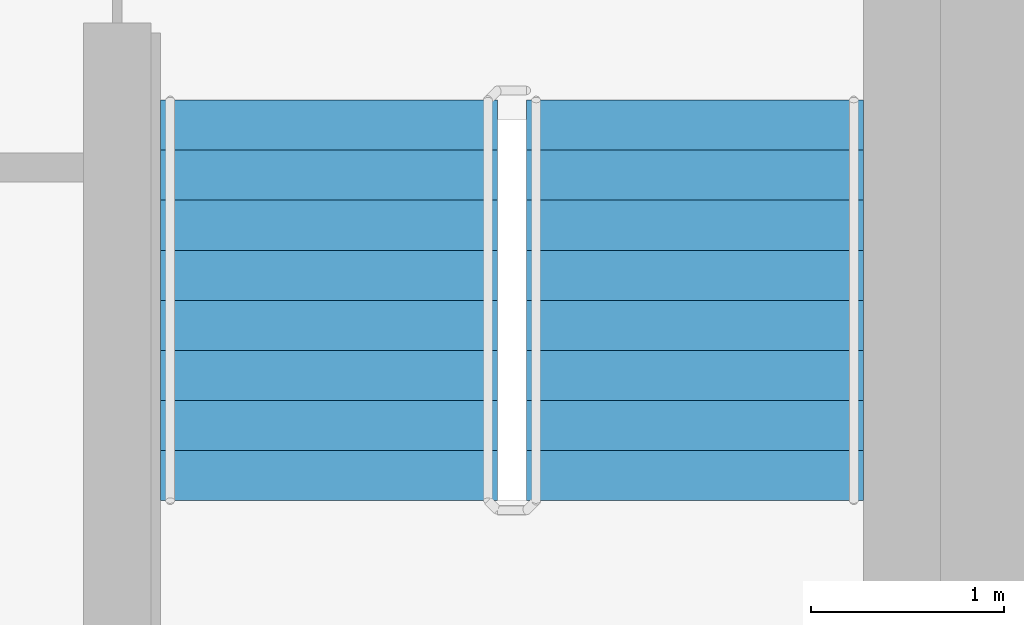
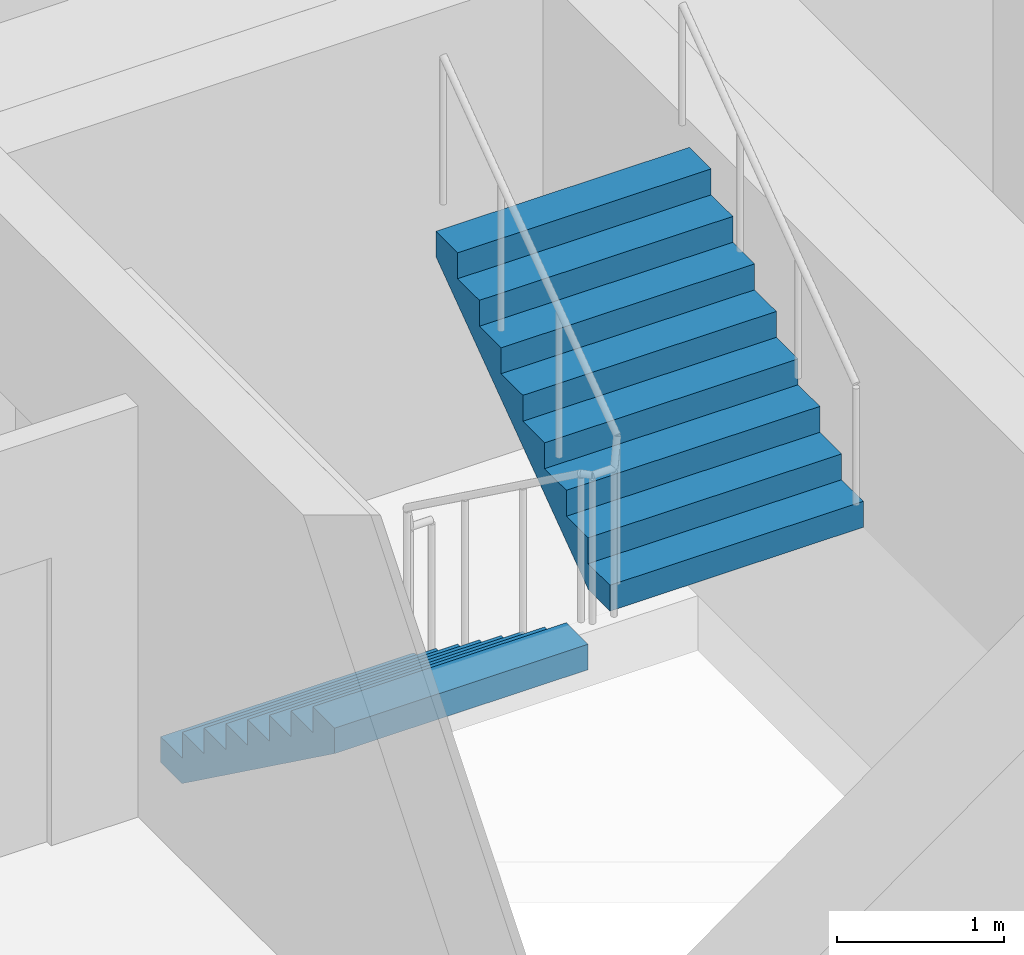
# One storey, part 15 of 19: 2 stair flights, 1 element without a shape of its own.
"""IFC4 building model written with IfcOpenShell, lengths in metres."""

from ifc_helpers import new_model, si_unit, direction, frame, origin, place, context, subcontext, project, spatial, faceted_brep, material, type_object, element, aggregate, save


model = new_model("IFC4")

# Units and contexts
model_context = context("Model", 3, precision=1e-05, world=origin(), true_north=direction((0.0, 1.0)))
body_context = subcontext(model_context, "Body", "Model", "MODEL_VIEW")
ifc_project = project(units=[si_unit("LENGTHUNIT", "METRE"), si_unit("AREAUNIT", "SQUARE_METRE"), si_unit("VOLUMEUNIT", "CUBIC_METRE"), si_unit("PLANEANGLEUNIT", "RADIAN"), si_unit("MASSUNIT", "GRAM", prefix="KILO")], contexts=[model_context])

# Site, building, storey
site_placement = place(None, origin())
site = spatial("IfcSite", under=ifc_project, at=site_placement, CompositionType="ELEMENT")
building_placement = place(site_placement, origin())
building = spatial("IfcBuilding", under=site, at=building_placement, Name="Ipe Terrace Towers", CompositionType="ELEMENT")
storey_placement = place(building_placement, frame((0.0, 0.0, 147.300048828125)))
storey = spatial("IfcBuildingStorey", under=building, at=storey_placement, Name="L40", CompositionType="ELEMENT", Elevation=147.300048828125)

# Stair, stair flights
ifc_material_1 = material(Name="Concrete C30/37", Category="concrete")
stair_type = type_object("IfcStairType", Name="Protected exit stair", PredefinedType="HALF_TURN_STAIR", material=ifc_material_1)
stair_placement = place(storey_placement, origin())
stair = element("IfcStair", 1, at=stair_placement, inside=storey, type_object=stair_type, Name="L40 Exit stair T2-C2", PredefinedType="HALF_TURN_STAIR")
ifc_material_2 = material(Name="Concrete C30/37", Category="concrete")
stair_flight_type = type_object("IfcStairFlightType", Name="Exit stair flight 1750", PredefinedType="STRAIGHT", material=ifc_material_2)
stair_flight_1_placement = place(storey_placement, frame((38.77490234375, -9.699951171875, 0.0), z_axis=(0.0, 0.0, 1.0), x_axis=(0.0, -1.0, 0.0)))
stair_flight_1 = element("IfcStairFlight", 2, at=stair_flight_1_placement, type_object=stair_flight_type, Name="T2-ST2 flight 1", NumberOfRisers=9, NumberOfTreads=8, PredefinedType="STRAIGHT", RiserHeight=0.188888889, TreadLength=0.26, context=body_context, shape_type="Brep", body=[
    faceted_brep([(0.255126953125, -0.875, 0.0), (2.080078125, -0.875, 1.325927734375), (2.080078125, -0.875, 1.51123046875), (1.820068359375, -0.875, 1.51123046875), (1.820068359375, -0.875, 1.322265625), (1.56005859375, -0.875, 1.322265625), (1.56005859375, -0.875, 1.13330078125), (1.300048828125, -0.875, 1.13330078125), (1.300048828125, -0.875, 0.9443359375), (1.0400390625, -0.875, 0.9443359375), (1.0400390625, -0.875, 0.755615234375), (0.780029296875, -0.875, 0.755615234375), (0.780029296875, -0.875, 0.566650390625), (0.52001953125, -0.875, 0.566650390625), (0.52001953125, -0.875, 0.377685546875), (0.260009765625, -0.875, 0.377685546875), (0.260009765625, -0.875, 0.18896484375), (0.0, -0.875, 0.18896484375), (0.0, -0.875, 0.0), (0.0, 0.875, 0.0), (0.0, 0.875, 0.18896484375), (0.260009765625, 0.875, 0.18896484375), (0.260009765625, 0.875, 0.377685546875), (0.52001953125, 0.875, 0.377685546875), (0.52001953125, 0.875, 0.566650390625), (0.780029296875, 0.875, 0.566650390625), (0.780029296875, 0.875, 0.755615234375), (1.0400390625, 0.875, 0.755615234375), (1.0400390625, 0.875, 0.9443359375), (1.300048828125, 0.875, 0.9443359375), (1.300048828125, 0.875, 1.13330078125), (1.56005859375, 0.875, 1.13330078125), (1.56005859375, 0.875, 1.322265625), (1.820068359375, 0.875, 1.322265625), (1.820068359375, 0.875, 1.51123046875), (2.080078125, 0.875, 1.51123046875), (2.080078125, 0.875, 1.325927734375), (0.255126953125, 0.875, 0.0), (0.0, -0.300048828125, 0.18896484375), (0.0, -0.1201171875, 0.18896484375), (0.0, -0.06005859375, 0.18896484375), (0.0, -0.030029296875, 0.18896484375), (0.0, -0.010009765625, 0.18896484375), (0.0, 0.0, 0.18896484375), (0.0, 0.010009765625, 0.18896484375), (0.0, 0.030029296875, 0.18896484375), (0.0, 0.06005859375, 0.18896484375), (0.0, 0.1201171875, 0.18896484375), (0.0, 0.300048828125, 0.18896484375), (0.0, 0.300048828125, 0.0), (0.0, 0.1201171875, 0.0), (0.0, 0.06005859375, 0.0), (0.0, 0.030029296875, 0.0), (0.0, 0.010009765625, 0.0), (0.0, 0.0, 0.0), (0.0, -0.010009765625, 0.0), (0.0, -0.030029296875, 0.0), (0.0, -0.06005859375, 0.0), (0.0, -0.1201171875, 0.0), (0.0, -0.300048828125, 0.0), (0.260009765625, -0.300048828125, 0.18896484375), (0.260009765625, -0.1201171875, 0.18896484375), (0.260009765625, -0.06005859375, 0.18896484375), (0.260009765625, -0.030029296875, 0.18896484375), (0.260009765625, -0.010009765625, 0.18896484375), (0.260009765625, 0.0, 0.18896484375), (0.260009765625, 0.010009765625, 0.18896484375), (0.260009765625, 0.030029296875, 0.18896484375), (0.260009765625, 0.06005859375, 0.18896484375), (0.260009765625, 0.1201171875, 0.18896484375), (0.260009765625, 0.300048828125, 0.18896484375), (0.260009765625, -0.300048828125, 0.377685546875), (0.260009765625, -0.1201171875, 0.377685546875), (0.260009765625, -0.06005859375, 0.377685546875), (0.260009765625, -0.030029296875, 0.377685546875), (0.260009765625, -0.010009765625, 0.377685546875), (0.260009765625, 0.0, 0.377685546875), (0.260009765625, 0.010009765625, 0.377685546875), (0.260009765625, 0.030029296875, 0.377685546875), (0.260009765625, 0.06005859375, 0.377685546875), (0.260009765625, 0.1201171875, 0.377685546875), (0.260009765625, 0.300048828125, 0.377685546875), (0.52001953125, -0.300048828125, 0.377685546875), (0.52001953125, -0.1201171875, 0.377685546875), (0.52001953125, -0.06005859375, 0.377685546875), (0.52001953125, -0.030029296875, 0.377685546875), (0.52001953125, -0.010009765625, 0.377685546875), (0.52001953125, 0.0, 0.377685546875), (0.52001953125, 0.010009765625, 0.377685546875), (0.52001953125, 0.030029296875, 0.377685546875), (0.52001953125, 0.06005859375, 0.377685546875), (0.52001953125, 0.1201171875, 0.377685546875), (0.52001953125, 0.300048828125, 0.377685546875), (0.52001953125, -0.300048828125, 0.566650390625), (0.52001953125, -0.1201171875, 0.566650390625), (0.52001953125, -0.06005859375, 0.566650390625), (0.52001953125, -0.030029296875, 0.566650390625), (0.52001953125, -0.010009765625, 0.566650390625), (0.52001953125, 0.0, 0.566650390625), (0.52001953125, 0.010009765625, 0.566650390625), (0.52001953125, 0.030029296875, 0.566650390625), (0.52001953125, 0.06005859375, 0.566650390625), (0.52001953125, 0.1201171875, 0.566650390625), (0.52001953125, 0.300048828125, 0.566650390625), (0.780029296875, -0.300048828125, 0.566650390625), (0.780029296875, -0.1201171875, 0.566650390625), (0.780029296875, -0.06005859375, 0.566650390625), (0.780029296875, -0.030029296875, 0.566650390625), (0.780029296875, -0.010009765625, 0.566650390625), (0.780029296875, 0.0, 0.566650390625), (0.780029296875, 0.010009765625, 0.566650390625), (0.780029296875, 0.030029296875, 0.566650390625), (0.780029296875, 0.06005859375, 0.566650390625), (0.780029296875, 0.1201171875, 0.566650390625), (0.780029296875, 0.300048828125, 0.566650390625), (0.780029296875, -0.300048828125, 0.755615234375), (0.780029296875, -0.1201171875, 0.755615234375), (0.780029296875, -0.06005859375, 0.755615234375), (0.780029296875, -0.030029296875, 0.755615234375), (0.780029296875, -0.010009765625, 0.755615234375), (0.780029296875, 0.0, 0.755615234375), (0.780029296875, 0.010009765625, 0.755615234375), (0.780029296875, 0.030029296875, 0.755615234375), (0.780029296875, 0.06005859375, 0.755615234375), (0.780029296875, 0.1201171875, 0.755615234375), (0.780029296875, 0.300048828125, 0.755615234375), (1.0400390625, -0.300048828125, 0.755615234375), (1.0400390625, -0.1201171875, 0.755615234375), (1.0400390625, -0.06005859375, 0.755615234375), (1.0400390625, -0.030029296875, 0.755615234375), (1.0400390625, -0.010009765625, 0.755615234375), (1.0400390625, 0.0, 0.755615234375), (1.0400390625, 0.010009765625, 0.755615234375), (1.0400390625, 0.030029296875, 0.755615234375), (1.0400390625, 0.06005859375, 0.755615234375), (1.0400390625, 0.1201171875, 0.755615234375), (1.0400390625, 0.300048828125, 0.755615234375), (1.0400390625, -0.300048828125, 0.9443359375), (1.0400390625, -0.1201171875, 0.9443359375), (1.0400390625, -0.06005859375, 0.9443359375), (1.0400390625, -0.030029296875, 0.9443359375), (1.0400390625, -0.010009765625, 0.9443359375), (1.0400390625, 0.0, 0.9443359375), (1.0400390625, 0.010009765625, 0.9443359375), (1.0400390625, 0.030029296875, 0.9443359375), (1.0400390625, 0.06005859375, 0.9443359375), (1.0400390625, 0.1201171875, 0.9443359375), (1.0400390625, 0.300048828125, 0.9443359375), (1.300048828125, -0.300048828125, 0.9443359375), (1.300048828125, -0.1201171875, 0.9443359375), (1.300048828125, -0.06005859375, 0.9443359375), (1.300048828125, -0.030029296875, 0.9443359375), (1.300048828125, -0.010009765625, 0.9443359375), (1.300048828125, 0.0, 0.9443359375), (1.300048828125, 0.010009765625, 0.9443359375), (1.300048828125, 0.030029296875, 0.9443359375), (1.300048828125, 0.06005859375, 0.9443359375), (1.300048828125, 0.1201171875, 0.9443359375), (1.300048828125, 0.300048828125, 0.9443359375), (1.300048828125, -0.300048828125, 1.13330078125), (1.300048828125, -0.1201171875, 1.13330078125), (1.300048828125, -0.06005859375, 1.13330078125), (1.300048828125, -0.030029296875, 1.13330078125), (1.300048828125, -0.010009765625, 1.13330078125), (1.300048828125, 0.0, 1.13330078125), (1.300048828125, 0.010009765625, 1.13330078125), (1.300048828125, 0.030029296875, 1.13330078125), (1.300048828125, 0.06005859375, 1.13330078125), (1.300048828125, 0.1201171875, 1.13330078125), (1.300048828125, 0.300048828125, 1.13330078125), (1.56005859375, -0.300048828125, 1.13330078125), (1.56005859375, -0.1201171875, 1.13330078125), (1.56005859375, -0.06005859375, 1.13330078125), (1.56005859375, -0.030029296875, 1.13330078125), (1.56005859375, -0.010009765625, 1.13330078125), (1.56005859375, 0.0, 1.13330078125), (1.56005859375, 0.010009765625, 1.13330078125), (1.56005859375, 0.030029296875, 1.13330078125), (1.56005859375, 0.06005859375, 1.13330078125), (1.56005859375, 0.1201171875, 1.13330078125), (1.56005859375, 0.300048828125, 1.13330078125), (1.56005859375, -0.300048828125, 1.322265625), (1.56005859375, -0.1201171875, 1.322265625), (1.56005859375, -0.06005859375, 1.322265625), (1.56005859375, -0.030029296875, 1.322265625), (1.56005859375, -0.010009765625, 1.322265625), (1.56005859375, 0.0, 1.322265625), (1.56005859375, 0.010009765625, 1.322265625), (1.56005859375, 0.030029296875, 1.322265625), (1.56005859375, 0.06005859375, 1.322265625), (1.56005859375, 0.1201171875, 1.322265625), (1.56005859375, 0.300048828125, 1.322265625), (1.820068359375, -0.300048828125, 1.322265625), (1.820068359375, -0.1201171875, 1.322265625), (1.820068359375, -0.06005859375, 1.322265625), (1.820068359375, -0.030029296875, 1.322265625), (1.820068359375, -0.010009765625, 1.322265625), (1.820068359375, 0.0, 1.322265625), (1.820068359375, 0.010009765625, 1.322265625), (1.820068359375, 0.030029296875, 1.322265625), (1.820068359375, 0.06005859375, 1.322265625), (1.820068359375, 0.1201171875, 1.322265625), (1.820068359375, 0.300048828125, 1.322265625), (1.820068359375, -0.300048828125, 1.51123046875), (1.820068359375, -0.1201171875, 1.51123046875), (1.820068359375, -0.06005859375, 1.51123046875), (1.820068359375, -0.030029296875, 1.51123046875), (1.820068359375, -0.010009765625, 1.51123046875), (1.820068359375, 0.0, 1.51123046875), (1.820068359375, 0.010009765625, 1.51123046875), (1.820068359375, 0.030029296875, 1.51123046875), (1.820068359375, 0.06005859375, 1.51123046875), (1.820068359375, 0.1201171875, 1.51123046875), (1.820068359375, 0.300048828125, 1.51123046875), (2.080078125, -0.300048828125, 1.51123046875), (2.080078125, -0.1201171875, 1.51123046875), (2.080078125, -0.06005859375, 1.51123046875), (2.080078125, -0.030029296875, 1.51123046875), (2.080078125, -0.010009765625, 1.51123046875), (2.080078125, 0.0, 1.51123046875), (2.080078125, 0.010009765625, 1.51123046875), (2.080078125, 0.030029296875, 1.51123046875), (2.080078125, 0.06005859375, 1.51123046875), (2.080078125, 0.1201171875, 1.51123046875), (2.080078125, 0.300048828125, 1.51123046875), (2.080078125, -0.300048828125, 1.325927734375), (2.080078125, -0.1201171875, 1.325927734375), (2.080078125, -0.06005859375, 1.325927734375), (2.080078125, -0.030029296875, 1.325927734375), (2.080078125, -0.010009765625, 1.325927734375), (2.080078125, 0.0, 1.325927734375), (2.080078125, 0.010009765625, 1.325927734375), (2.080078125, 0.030029296875, 1.325927734375), (2.080078125, 0.06005859375, 1.325927734375), (2.080078125, 0.1201171875, 1.325927734375), (2.080078125, 0.300048828125, 1.325927734375), (0.255126953125, -0.300048828125, 0.0), (0.255126953125, -0.1201171875, 0.0), (0.255126953125, -0.06005859375, 0.0), (0.255126953125, -0.030029296875, 0.0), (0.255126953125, -0.010009765625, 0.0), (0.255126953125, 0.0, 0.0), (0.255126953125, 0.010009765625, 0.0), (0.255126953125, 0.030029296875, 0.0), (0.255126953125, 0.06005859375, 0.0), (0.255126953125, 0.1201171875, 0.0), (0.255126953125, 0.300048828125, 0.0)], [[[0, 1, 2, 3, 4, 5, 6, 7, 8, 9, 10, 11, 12, 13, 14, 15, 16, 17, 18]], [[19, 20, 21, 22, 23, 24, 25, 26, 27, 28, 29, 30, 31, 32, 33, 34, 35, 36, 37]], [[17, 38, 39, 40, 41, 42, 43, 44, 45, 46, 47, 48, 20, 19, 49, 50, 51, 52, 53, 54, 55, 56, 57, 58, 59, 18]], [[16, 60, 61, 62, 63, 64, 65, 66, 67, 68, 69, 70, 21, 20, 48, 47, 46, 45, 44, 43, 42, 41, 40, 39, 38, 17]], [[15, 71, 72, 73, 74, 75, 76, 77, 78, 79, 80, 81, 22, 21, 70, 69, 68, 67, 66, 65, 64, 63, 62, 61, 60, 16]], [[14, 82, 83, 84, 85, 86, 87, 88, 89, 90, 91, 92, 23, 22, 81, 80, 79, 78, 77, 76, 75, 74, 73, 72, 71, 15]], [[13, 93, 94, 95, 96, 97, 98, 99, 100, 101, 102, 103, 24, 23, 92, 91, 90, 89, 88, 87, 86, 85, 84, 83, 82, 14]], [[12, 104, 105, 106, 107, 108, 109, 110, 111, 112, 113, 114, 25, 24, 103, 102, 101, 100, 99, 98, 97, 96, 95, 94, 93, 13]], [[11, 115, 116, 117, 118, 119, 120, 121, 122, 123, 124, 125, 26, 25, 114, 113, 112, 111, 110, 109, 108, 107, 106, 105, 104, 12]], [[10, 126, 127, 128, 129, 130, 131, 132, 133, 134, 135, 136, 27, 26, 125, 124, 123, 122, 121, 120, 119, 118, 117, 116, 115, 11]], [[9, 137, 138, 139, 140, 141, 142, 143, 144, 145, 146, 147, 28, 27, 136, 135, 134, 133, 132, 131, 130, 129, 128, 127, 126, 10]], [[8, 148, 149, 150, 151, 152, 153, 154, 155, 156, 157, 158, 29, 28, 147, 146, 145, 144, 143, 142, 141, 140, 139, 138, 137, 9]], [[7, 159, 160, 161, 162, 163, 164, 165, 166, 167, 168, 169, 30, 29, 158, 157, 156, 155, 154, 153, 152, 151, 150, 149, 148, 8]], [[6, 170, 171, 172, 173, 174, 175, 176, 177, 178, 179, 180, 31, 30, 169, 168, 167, 166, 165, 164, 163, 162, 161, 160, 159, 7]], [[5, 181, 182, 183, 184, 185, 186, 187, 188, 189, 190, 191, 32, 31, 180, 179, 178, 177, 176, 175, 174, 173, 172, 171, 170, 6]], [[4, 192, 193, 194, 195, 196, 197, 198, 199, 200, 201, 202, 33, 32, 191, 190, 189, 188, 187, 186, 185, 184, 183, 182, 181, 5]], [[3, 203, 204, 205, 206, 207, 208, 209, 210, 211, 212, 213, 34, 33, 202, 201, 200, 199, 198, 197, 196, 195, 194, 193, 192, 4]], [[2, 214, 215, 216, 217, 218, 219, 220, 221, 222, 223, 224, 35, 34, 213, 212, 211, 210, 209, 208, 207, 206, 205, 204, 203, 3]], [[1, 225, 226, 227, 228, 229, 230, 231, 232, 233, 234, 235, 36, 35, 224, 223, 222, 221, 220, 219, 218, 217, 216, 215, 214, 2]], [[0, 236, 237, 238, 239, 240, 241, 242, 243, 244, 245, 246, 37, 36, 235, 234, 233, 232, 231, 230, 229, 228, 227, 226, 225, 1]], [[18, 59, 58, 57, 56, 55, 54, 53, 52, 51, 50, 49, 19, 37, 246, 245, 244, 243, 242, 241, 240, 239, 238, 237, 236, 0]]]),
])
stair_flight_2_placement = place(storey_placement, frame((40.675048828125, -11.780029296875, 1.699951171875), z_axis=(0.0, 0.0, 1.0), x_axis=(0.0, 1.0, 0.0)))
stair_flight_2 = element("IfcStairFlight", 3, at=stair_flight_2_placement, type_object=stair_flight_type, Name="T2-ST2 flight 2", NumberOfRisers=9, NumberOfTreads=8, PredefinedType="STRAIGHT", RiserHeight=0.188888889, TreadLength=0.26, context=body_context, shape_type="Brep", body=[
    faceted_brep([(0.255126953125, -0.875, 0.0), (2.080078125, -0.875, 1.325927734375), (2.080078125, -0.875, 1.51123046875), (1.820068359375, -0.875, 1.51123046875), (1.820068359375, -0.875, 1.322265625), (1.56005859375, -0.875, 1.322265625), (1.56005859375, -0.875, 1.13330078125), (1.300048828125, -0.875, 1.13330078125), (1.300048828125, -0.875, 0.9443359375), (1.0400390625, -0.875, 0.9443359375), (1.0400390625, -0.875, 0.755615234375), (0.780029296875, -0.875, 0.755615234375), (0.780029296875, -0.875, 0.566650390625), (0.52001953125, -0.875, 0.566650390625), (0.52001953125, -0.875, 0.377685546875), (0.260009765625, -0.875, 0.377685546875), (0.260009765625, -0.875, 0.18896484375), (0.0, -0.875, 0.18896484375), (0.0, -0.875, 0.0), (0.0, 0.875, 0.0), (0.0, 0.875, 0.18896484375), (0.260009765625, 0.875, 0.18896484375), (0.260009765625, 0.875, 0.377685546875), (0.52001953125, 0.875, 0.377685546875), (0.52001953125, 0.875, 0.566650390625), (0.780029296875, 0.875, 0.566650390625), (0.780029296875, 0.875, 0.755615234375), (1.0400390625, 0.875, 0.755615234375), (1.0400390625, 0.875, 0.9443359375), (1.300048828125, 0.875, 0.9443359375), (1.300048828125, 0.875, 1.13330078125), (1.56005859375, 0.875, 1.13330078125), (1.56005859375, 0.875, 1.322265625), (1.820068359375, 0.875, 1.322265625), (1.820068359375, 0.875, 1.51123046875), (2.080078125, 0.875, 1.51123046875), (2.080078125, 0.875, 1.325927734375), (0.255126953125, 0.875, 0.0), (0.0, -0.300048828125, 0.18896484375), (0.0, -0.1201171875, 0.18896484375), (0.0, -0.06005859375, 0.18896484375), (0.0, -0.030029296875, 0.18896484375), (0.0, -0.010009765625, 0.18896484375), (0.0, 0.0, 0.18896484375), (0.0, 0.010009765625, 0.18896484375), (0.0, 0.030029296875, 0.18896484375), (0.0, 0.06005859375, 0.18896484375), (0.0, 0.1201171875, 0.18896484375), (0.0, 0.300048828125, 0.18896484375), (0.0, 0.300048828125, 0.0), (0.0, 0.1201171875, 0.0), (0.0, 0.06005859375, 0.0), (0.0, 0.030029296875, 0.0), (0.0, 0.010009765625, 0.0), (0.0, 0.0, 0.0), (0.0, -0.010009765625, 0.0), (0.0, -0.030029296875, 0.0), (0.0, -0.06005859375, 0.0), (0.0, -0.1201171875, 0.0), (0.0, -0.300048828125, 0.0), (0.260009765625, -0.300048828125, 0.18896484375), (0.260009765625, -0.1201171875, 0.18896484375), (0.260009765625, -0.06005859375, 0.18896484375), (0.260009765625, -0.030029296875, 0.18896484375), (0.260009765625, -0.010009765625, 0.18896484375), (0.260009765625, 0.0, 0.18896484375), (0.260009765625, 0.010009765625, 0.18896484375), (0.260009765625, 0.030029296875, 0.18896484375), (0.260009765625, 0.06005859375, 0.18896484375), (0.260009765625, 0.1201171875, 0.18896484375), (0.260009765625, 0.300048828125, 0.18896484375), (0.260009765625, -0.300048828125, 0.377685546875), (0.260009765625, -0.1201171875, 0.377685546875), (0.260009765625, -0.06005859375, 0.377685546875), (0.260009765625, -0.030029296875, 0.377685546875), (0.260009765625, -0.010009765625, 0.377685546875), (0.260009765625, 0.0, 0.377685546875), (0.260009765625, 0.010009765625, 0.377685546875), (0.260009765625, 0.030029296875, 0.377685546875), (0.260009765625, 0.06005859375, 0.377685546875), (0.260009765625, 0.1201171875, 0.377685546875), (0.260009765625, 0.300048828125, 0.377685546875), (0.52001953125, -0.300048828125, 0.377685546875), (0.52001953125, -0.1201171875, 0.377685546875), (0.52001953125, -0.06005859375, 0.377685546875), (0.52001953125, -0.030029296875, 0.377685546875), (0.52001953125, -0.010009765625, 0.377685546875), (0.52001953125, 0.0, 0.377685546875), (0.52001953125, 0.010009765625, 0.377685546875), (0.52001953125, 0.030029296875, 0.377685546875), (0.52001953125, 0.06005859375, 0.377685546875), (0.52001953125, 0.1201171875, 0.377685546875), (0.52001953125, 0.300048828125, 0.377685546875), (0.52001953125, -0.300048828125, 0.566650390625), (0.52001953125, -0.1201171875, 0.566650390625), (0.52001953125, -0.06005859375, 0.566650390625), (0.52001953125, -0.030029296875, 0.566650390625), (0.52001953125, -0.010009765625, 0.566650390625), (0.52001953125, 0.0, 0.566650390625), (0.52001953125, 0.010009765625, 0.566650390625), (0.52001953125, 0.030029296875, 0.566650390625), (0.52001953125, 0.06005859375, 0.566650390625), (0.52001953125, 0.1201171875, 0.566650390625), (0.52001953125, 0.300048828125, 0.566650390625), (0.780029296875, -0.300048828125, 0.566650390625), (0.780029296875, -0.1201171875, 0.566650390625), (0.780029296875, -0.06005859375, 0.566650390625), (0.780029296875, -0.030029296875, 0.566650390625), (0.780029296875, -0.010009765625, 0.566650390625), (0.780029296875, 0.0, 0.566650390625), (0.780029296875, 0.010009765625, 0.566650390625), (0.780029296875, 0.030029296875, 0.566650390625), (0.780029296875, 0.06005859375, 0.566650390625), (0.780029296875, 0.1201171875, 0.566650390625), (0.780029296875, 0.300048828125, 0.566650390625), (0.780029296875, -0.300048828125, 0.755615234375), (0.780029296875, -0.1201171875, 0.755615234375), (0.780029296875, -0.06005859375, 0.755615234375), (0.780029296875, -0.030029296875, 0.755615234375), (0.780029296875, -0.010009765625, 0.755615234375), (0.780029296875, 0.0, 0.755615234375), (0.780029296875, 0.010009765625, 0.755615234375), (0.780029296875, 0.030029296875, 0.755615234375), (0.780029296875, 0.06005859375, 0.755615234375), (0.780029296875, 0.1201171875, 0.755615234375), (0.780029296875, 0.300048828125, 0.755615234375), (1.0400390625, -0.300048828125, 0.755615234375), (1.0400390625, -0.1201171875, 0.755615234375), (1.0400390625, -0.06005859375, 0.755615234375), (1.0400390625, -0.030029296875, 0.755615234375), (1.0400390625, -0.010009765625, 0.755615234375), (1.0400390625, 0.0, 0.755615234375), (1.0400390625, 0.010009765625, 0.755615234375), (1.0400390625, 0.030029296875, 0.755615234375), (1.0400390625, 0.06005859375, 0.755615234375), (1.0400390625, 0.1201171875, 0.755615234375), (1.0400390625, 0.300048828125, 0.755615234375), (1.0400390625, -0.300048828125, 0.9443359375), (1.0400390625, -0.1201171875, 0.9443359375), (1.0400390625, -0.06005859375, 0.9443359375), (1.0400390625, -0.030029296875, 0.9443359375), (1.0400390625, -0.010009765625, 0.9443359375), (1.0400390625, 0.0, 0.9443359375), (1.0400390625, 0.010009765625, 0.9443359375), (1.0400390625, 0.030029296875, 0.9443359375), (1.0400390625, 0.06005859375, 0.9443359375), (1.0400390625, 0.1201171875, 0.9443359375), (1.0400390625, 0.300048828125, 0.9443359375), (1.300048828125, -0.300048828125, 0.9443359375), (1.300048828125, -0.1201171875, 0.9443359375), (1.300048828125, -0.06005859375, 0.9443359375), (1.300048828125, -0.030029296875, 0.9443359375), (1.300048828125, -0.010009765625, 0.9443359375), (1.300048828125, 0.0, 0.9443359375), (1.300048828125, 0.010009765625, 0.9443359375), (1.300048828125, 0.030029296875, 0.9443359375), (1.300048828125, 0.06005859375, 0.9443359375), (1.300048828125, 0.1201171875, 0.9443359375), (1.300048828125, 0.300048828125, 0.9443359375), (1.300048828125, -0.300048828125, 1.13330078125), (1.300048828125, -0.1201171875, 1.13330078125), (1.300048828125, -0.06005859375, 1.13330078125), (1.300048828125, -0.030029296875, 1.13330078125), (1.300048828125, -0.010009765625, 1.13330078125), (1.300048828125, 0.0, 1.13330078125), (1.300048828125, 0.010009765625, 1.13330078125), (1.300048828125, 0.030029296875, 1.13330078125), (1.300048828125, 0.06005859375, 1.13330078125), (1.300048828125, 0.1201171875, 1.13330078125), (1.300048828125, 0.300048828125, 1.13330078125), (1.56005859375, -0.300048828125, 1.13330078125), (1.56005859375, -0.1201171875, 1.13330078125), (1.56005859375, -0.06005859375, 1.13330078125), (1.56005859375, -0.030029296875, 1.13330078125), (1.56005859375, -0.010009765625, 1.13330078125), (1.56005859375, 0.0, 1.13330078125), (1.56005859375, 0.010009765625, 1.13330078125), (1.56005859375, 0.030029296875, 1.13330078125), (1.56005859375, 0.06005859375, 1.13330078125), (1.56005859375, 0.1201171875, 1.13330078125), (1.56005859375, 0.300048828125, 1.13330078125), (1.56005859375, -0.300048828125, 1.322265625), (1.56005859375, -0.1201171875, 1.322265625), (1.56005859375, -0.06005859375, 1.322265625), (1.56005859375, -0.030029296875, 1.322265625), (1.56005859375, -0.010009765625, 1.322265625), (1.56005859375, 0.0, 1.322265625), (1.56005859375, 0.010009765625, 1.322265625), (1.56005859375, 0.030029296875, 1.322265625), (1.56005859375, 0.06005859375, 1.322265625), (1.56005859375, 0.1201171875, 1.322265625), (1.56005859375, 0.300048828125, 1.322265625), (1.820068359375, -0.300048828125, 1.322265625), (1.820068359375, -0.1201171875, 1.322265625), (1.820068359375, -0.06005859375, 1.322265625), (1.820068359375, -0.030029296875, 1.322265625), (1.820068359375, -0.010009765625, 1.322265625), (1.820068359375, 0.0, 1.322265625), (1.820068359375, 0.010009765625, 1.322265625), (1.820068359375, 0.030029296875, 1.322265625), (1.820068359375, 0.06005859375, 1.322265625), (1.820068359375, 0.1201171875, 1.322265625), (1.820068359375, 0.300048828125, 1.322265625), (1.820068359375, -0.300048828125, 1.51123046875), (1.820068359375, -0.1201171875, 1.51123046875), (1.820068359375, -0.06005859375, 1.51123046875), (1.820068359375, -0.030029296875, 1.51123046875), (1.820068359375, -0.010009765625, 1.51123046875), (1.820068359375, 0.0, 1.51123046875), (1.820068359375, 0.010009765625, 1.51123046875), (1.820068359375, 0.030029296875, 1.51123046875), (1.820068359375, 0.06005859375, 1.51123046875), (1.820068359375, 0.1201171875, 1.51123046875), (1.820068359375, 0.300048828125, 1.51123046875), (2.080078125, -0.300048828125, 1.51123046875), (2.080078125, -0.1201171875, 1.51123046875), (2.080078125, -0.06005859375, 1.51123046875), (2.080078125, -0.030029296875, 1.51123046875), (2.080078125, -0.010009765625, 1.51123046875), (2.080078125, 0.0, 1.51123046875), (2.080078125, 0.010009765625, 1.51123046875), (2.080078125, 0.030029296875, 1.51123046875), (2.080078125, 0.06005859375, 1.51123046875), (2.080078125, 0.1201171875, 1.51123046875), (2.080078125, 0.300048828125, 1.51123046875), (2.080078125, -0.300048828125, 1.325927734375), (2.080078125, -0.1201171875, 1.325927734375), (2.080078125, -0.06005859375, 1.325927734375), (2.080078125, -0.030029296875, 1.325927734375), (2.080078125, -0.010009765625, 1.325927734375), (2.080078125, 0.0, 1.325927734375), (2.080078125, 0.010009765625, 1.325927734375), (2.080078125, 0.030029296875, 1.325927734375), (2.080078125, 0.06005859375, 1.325927734375), (2.080078125, 0.1201171875, 1.325927734375), (2.080078125, 0.300048828125, 1.325927734375), (0.255126953125, -0.300048828125, 0.0), (0.255126953125, -0.1201171875, 0.0), (0.255126953125, -0.06005859375, 0.0), (0.255126953125, -0.030029296875, 0.0), (0.255126953125, -0.010009765625, 0.0), (0.255126953125, 0.0, 0.0), (0.255126953125, 0.010009765625, 0.0), (0.255126953125, 0.030029296875, 0.0), (0.255126953125, 0.06005859375, 0.0), (0.255126953125, 0.1201171875, 0.0), (0.255126953125, 0.300048828125, 0.0)], [[[0, 1, 2, 3, 4, 5, 6, 7, 8, 9, 10, 11, 12, 13, 14, 15, 16, 17, 18]], [[19, 20, 21, 22, 23, 24, 25, 26, 27, 28, 29, 30, 31, 32, 33, 34, 35, 36, 37]], [[17, 38, 39, 40, 41, 42, 43, 44, 45, 46, 47, 48, 20, 19, 49, 50, 51, 52, 53, 54, 55, 56, 57, 58, 59, 18]], [[16, 60, 61, 62, 63, 64, 65, 66, 67, 68, 69, 70, 21, 20, 48, 47, 46, 45, 44, 43, 42, 41, 40, 39, 38, 17]], [[15, 71, 72, 73, 74, 75, 76, 77, 78, 79, 80, 81, 22, 21, 70, 69, 68, 67, 66, 65, 64, 63, 62, 61, 60, 16]], [[14, 82, 83, 84, 85, 86, 87, 88, 89, 90, 91, 92, 23, 22, 81, 80, 79, 78, 77, 76, 75, 74, 73, 72, 71, 15]], [[13, 93, 94, 95, 96, 97, 98, 99, 100, 101, 102, 103, 24, 23, 92, 91, 90, 89, 88, 87, 86, 85, 84, 83, 82, 14]], [[12, 104, 105, 106, 107, 108, 109, 110, 111, 112, 113, 114, 25, 24, 103, 102, 101, 100, 99, 98, 97, 96, 95, 94, 93, 13]], [[11, 115, 116, 117, 118, 119, 120, 121, 122, 123, 124, 125, 26, 25, 114, 113, 112, 111, 110, 109, 108, 107, 106, 105, 104, 12]], [[10, 126, 127, 128, 129, 130, 131, 132, 133, 134, 135, 136, 27, 26, 125, 124, 123, 122, 121, 120, 119, 118, 117, 116, 115, 11]], [[9, 137, 138, 139, 140, 141, 142, 143, 144, 145, 146, 147, 28, 27, 136, 135, 134, 133, 132, 131, 130, 129, 128, 127, 126, 10]], [[8, 148, 149, 150, 151, 152, 153, 154, 155, 156, 157, 158, 29, 28, 147, 146, 145, 144, 143, 142, 141, 140, 139, 138, 137, 9]], [[7, 159, 160, 161, 162, 163, 164, 165, 166, 167, 168, 169, 30, 29, 158, 157, 156, 155, 154, 153, 152, 151, 150, 149, 148, 8]], [[6, 170, 171, 172, 173, 174, 175, 176, 177, 178, 179, 180, 31, 30, 169, 168, 167, 166, 165, 164, 163, 162, 161, 160, 159, 7]], [[5, 181, 182, 183, 184, 185, 186, 187, 188, 189, 190, 191, 32, 31, 180, 179, 178, 177, 176, 175, 174, 173, 172, 171, 170, 6]], [[4, 192, 193, 194, 195, 196, 197, 198, 199, 200, 201, 202, 33, 32, 191, 190, 189, 188, 187, 186, 185, 184, 183, 182, 181, 5]], [[3, 203, 204, 205, 206, 207, 208, 209, 210, 211, 212, 213, 34, 33, 202, 201, 200, 199, 198, 197, 196, 195, 194, 193, 192, 4]], [[2, 214, 215, 216, 217, 218, 219, 220, 221, 222, 223, 224, 35, 34, 213, 212, 211, 210, 209, 208, 207, 206, 205, 204, 203, 3]], [[1, 225, 226, 227, 228, 229, 230, 231, 232, 233, 234, 235, 36, 35, 224, 223, 222, 221, 220, 219, 218, 217, 216, 215, 214, 2]], [[0, 236, 237, 238, 239, 240, 241, 242, 243, 244, 245, 246, 37, 36, 235, 234, 233, 232, 231, 230, 229, 228, 227, 226, 225, 1]], [[18, 59, 58, 57, 56, 55, 54, 53, 52, 51, 50, 49, 19, 37, 246, 245, 244, 243, 242, 241, 240, 239, 238, 237, 236, 0]]]),
])
aggregate(stair, [stair_flight_1, stair_flight_2])

save(model, "model.ifc")
